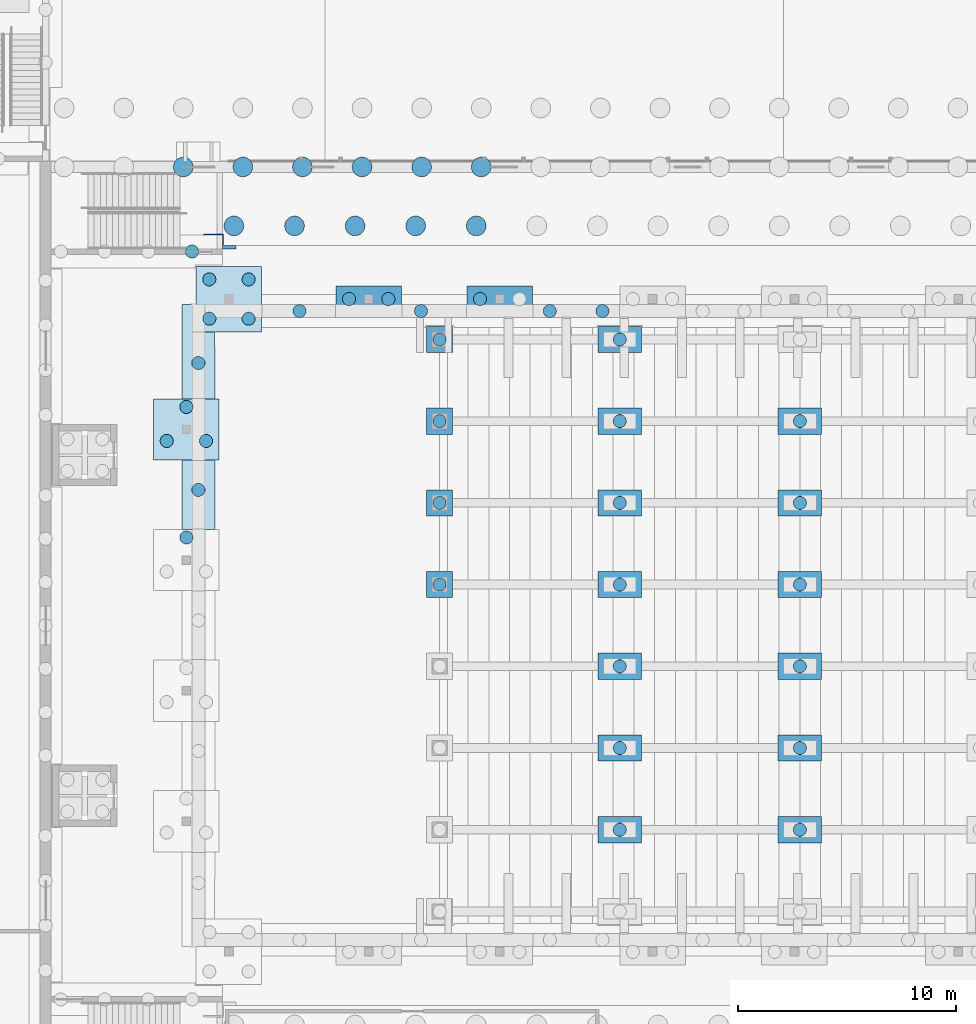
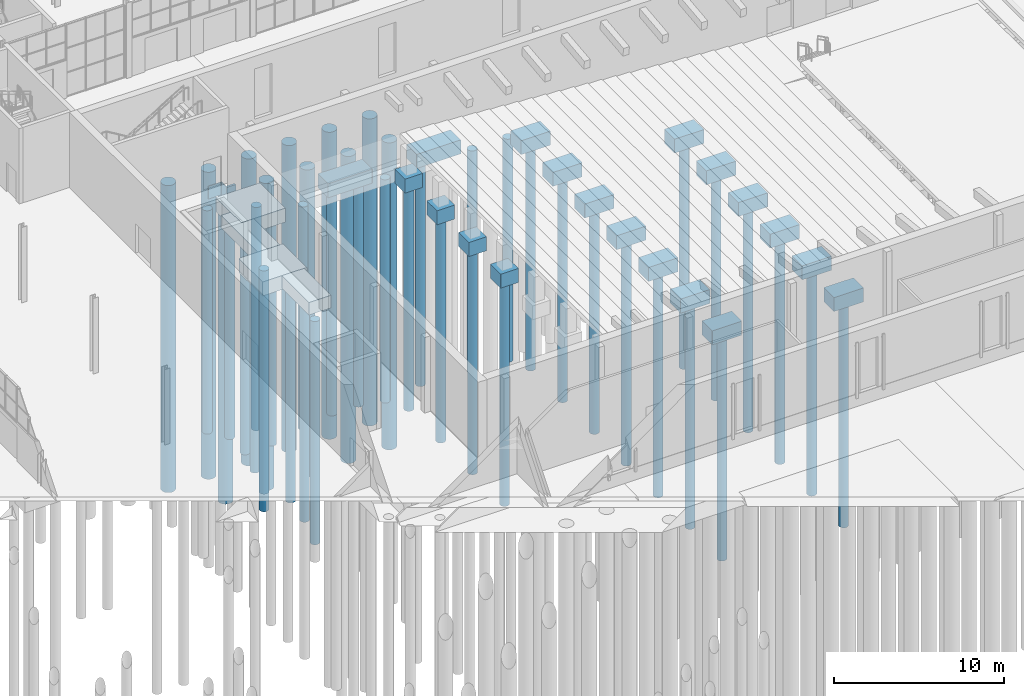
# One storey, part 11 of 127: 46 piles, 24 footings.
"""IFC4 building model written with IfcOpenShell, lengths in metres."""

from ifc_helpers import new_model, si_unit, direction, frame, origin, origin_2d, place, context, subcontext, project, spatial, polyline, circle, outline, extrude, material, layer, layer_set, material_profile, profile_set, type_object, element, save


model = new_model("IFC4")

# Units and contexts
model_context = context("Model", 3, precision=1e-05, world=origin(), true_north=direction((0.0, 1.0)))
body_context = subcontext(model_context, "Body", "Model", "MODEL_VIEW")
ifc_project = project(units=[si_unit("LENGTHUNIT", "METRE"), si_unit("AREAUNIT", "SQUARE_METRE"), si_unit("VOLUMEUNIT", "CUBIC_METRE"), si_unit("PLANEANGLEUNIT", "RADIAN"), si_unit("MASSUNIT", "GRAM", prefix="KILO")], contexts=[model_context])

# Site, building, storey
site_placement = place(None, origin())
site = spatial("IfcSite", under=ifc_project, at=site_placement, CompositionType="ELEMENT")
building_placement = place(site_placement, origin())
building = spatial("IfcBuilding", under=site, at=building_placement, Name="Ljudholm Concert House", CompositionType="ELEMENT")
storey_placement = place(building_placement, origin())
storey = spatial("IfcBuildingStorey", under=building, at=storey_placement, Name="L00", CompositionType="ELEMENT", Elevation=0.0)

# Piles
ifc_material_1 = material(Name="Concrete 5,000 psi", Category="concrete")
ifc_material_profile_1 = material_profile(ifc_material_1, circle(Radius=0.300048828125, at=origin_2d()), Name="AUGER-CAST PILE D600")
ifc_profile_set_1 = profile_set([ifc_material_profile_1], Name="Concrete 5,000 psi")
pile_type_1 = type_object("IfcPileType", Name="AUGER-CAST PILE D600", PredefinedType="BORED", material=ifc_profile_set_1)
for number, where, z_axis, x_axis, name in (
    (1, (35.64990234375, 79.42919921875, -1.300048828125), (0.0, 0.0, -1.0), (1.0, 0.0, 0.0), "Pile D600"),
    (2, (34.75, 83.850341796875, -1.300048828125), (0.0, 0.0, -1.0), (1.0, 0.0, 0.0), "Pile D600"),
    (3, (36.550048828125, 83.850341796875, -1.300048828125), (0.0, 0.0, -1.0), (1.0, 0.0, 0.0), "Pile D600"),
    (4, (35.64990234375, 85.4091796875, -1.300048828125), (0.0, 0.0, -1.0), (1.0, 0.0, 0.0), "Pile D600"),
    (5, (36.699951171875, 89.449951171875, -1.300048828125), (0.0, 0.0, -1.0), (1.0, 0.0, 0.0), "Pile D600"),
    (6, (38.5, 89.449951171875, -1.300048828125), (0.0, 0.0, -1.0), (1.0, 0.0, 0.0), "Pile D600"),
    (7, (36.699951171875, 91.25, -1.300048828125), (0.0, 0.0, -1.0), (1.0, 0.0, 0.0), "Pile D600"),
    (8, (38.5, 91.25, -1.300048828125), (0.0, 0.0, -1.0), (1.0, 0.0, 0.0), "Pile D600"),
    (9, (43.10009765625, 90.35009765625, -1.300048828125), (0.0, 0.0, -1.0), (1.0, 0.0, 0.0), "Pile D600"),
    (10, (44.89990234375, 90.35009765625, -1.300048828125), (0.0, 0.0, -1.0), (1.0, 0.0, 0.0), "Pile D600"),
    (11, (47.25, 77.271484375, -1.300048828125), (0.0, 0.0, -1.0), (1.0, 0.0, 0.0), "Pile D600"),
    (12, (47.25, 81.014404296875, -1.300048828125), (0.0, 0.0, -1.0), (1.0, 0.0, 0.0), "Pile D600"),
    (13, (47.25, 84.757080078125, -1.300048828125), (0.0, 0.0, -1.0), (1.0, 0.0, 0.0), "Pile D600"),
    (14, (47.25, 88.5, -1.300048828125), (0.0, 0.0, -1.0), (1.0, 0.0, 0.0), "Pile D600"),
    (15, (49.10009765625, 90.35009765625, -1.300048828125), (0.0, 0.0, -1.0), (1.0, 0.0, 0.0), "Pile D600"),
    (16, (55.5, 66.04296875, -1.300048828125), (0.0, 0.0, -1.0), (1.0, 0.0, 0.0), "Pile D600"),
    (17, (55.5, 69.78564453125, -1.300048828125), (0.0, 0.0, -1.0), (1.0, 0.0, 0.0), "Pile D600"),
    (18, (55.5, 73.528564453125, -1.300048828125), (0.0, 0.0, -1.0), (1.0, 0.0, 0.0), "Pile D600"),
    (19, (55.5, 77.271484375, -1.300048828125), (0.0, 0.0, -1.0), (1.0, 0.0, 0.0), "Pile D600"),
    (20, (55.5, 81.014404296875, -1.300048828125), (0.0, 0.0, -1.0), (1.0, 0.0, 0.0), "Pile D600"),
    (21, (55.5, 84.757080078125, -1.300048828125), (0.0, 0.0, -1.0), (1.0, 0.0, 0.0), "Pile D600"),
    (22, (55.5, 88.5, -1.300048828125), (0.0, 0.0, -1.0), (1.0, 0.0, 0.0), "Pile D600"),
    (23, (63.75, 66.04296875, -1.804931640625), (0.0, 0.0, -1.0), (1.0, 0.0, 0.0), "Pile D600"),
    (24, (63.75, 69.78564453125, -1.804931640625), (0.0, 0.0, -1.0), (1.0, 0.0, 0.0), "Pile D600"),
    (25, (63.75, 73.528564453125, -1.804931640625), (0.0, 0.0, -1.0), (1.0, 0.0, 0.0), "Pile D600"),
    (26, (63.75, 77.271484375, -1.804931640625), (0.0, 0.0, -1.0), (1.0, 0.0, 0.0), "Pile D600"),
    (27, (63.75, 81.014404296875, -1.804931640625), (0.0, 0.0, -1.0), (1.0, 0.0, 0.0), "Pile D600"),
    (28, (63.75, 84.757080078125, -1.804931640625), (0.0, 0.0, -1.0), (1.0, 0.0, 0.0), "Pile D600"),
    (29, (35.91064453125, 92.52490234375, -1.39990234375), (0.0, 0.0, -1.0), (1.0, 0.0, 0.0), "Pile D600"),
    (30, (40.83154296875, 89.800048828125, -1.199951171875), (0.0, 0.0, -1.0), (1.0, 0.0, 0.0), "Pile D600"),
    (31, (46.398681640625, 89.800048828125, -1.199951171875), (0.0, 0.0, -1.0), (1.0, 0.0, 0.0), "Pile D600"),
    (32, (52.295166015625, 89.800048828125, -1.199951171875), (0.0, 0.0, -1.0), (1.0, 0.0, 0.0), "Pile D600"),
    (33, (54.704833984375, 89.800048828125, -1.199951171875), (0.0, 0.0, -1.0), (1.0, 0.0, 0.0), "Pile D600"),
    (34, (36.199951171875, 87.420166015625, -1.199951171875), (0.0, 0.0, -1.0), (1.0, 0.0, 0.0), "Pile D600"),
    (35, (36.199951171875, 81.608154296875, -1.199951171875), (0.0, 0.0, -1.0), (1.0, 0.0, 0.0), "Pile D600"),
):
    element("IfcPile", number, at=place(storey_placement, frame(where, z_axis=z_axis, x_axis=x_axis)), inside=storey, type_object=pile_type_1, Name=name, PredefinedType="BORED", context=body_context, shape_type="SweptSolid", body=[
        extrude(circle(Radius=0.300048828125, at=origin_2d()), origin(), (0.0, 0.0, 1.0), 16.0),
    ])
ifc_material_2 = material(Name="Concrete 5,000 psi", Category="concrete")
ifc_material_profile_2 = material_profile(ifc_material_2, circle(Radius=0.449951171875, at=origin_2d()), Name="AUGER-CAST PILE D900")
ifc_profile_set_2 = profile_set([ifc_material_profile_2], Name="Concrete 5,000 psi")
pile_type_2 = type_object("IfcPileType", Name="AUGER-CAST PILE D900", PredefinedType="BORED", material=ifc_profile_set_2)
for number, where, z_axis, x_axis, name in (
    (36, (37.828857421875, 93.699951171875, -1.699951171875), (0.0, 0.0, -1.0), (1.0, 0.0, 0.0), "Pile D900"),
    (37, (40.603515625, 93.699951171875, -1.699951171875), (0.0, 0.0, -1.0), (1.0, 0.0, 0.0), "Pile D900"),
    (38, (43.3779296875, 93.699951171875, -1.699951171875), (0.0, 0.0, -1.0), (1.0, 0.0, 0.0), "Pile D900"),
    (39, (46.152587890625, 93.699951171875, -1.699951171875), (0.0, 0.0, -1.0), (1.0, 0.0, 0.0), "Pile D900"),
    (40, (48.92724609375, 93.699951171875, -1.699951171875), (0.0, 0.0, -1.0), (1.0, 0.0, 0.0), "Pile D900"),
    (41, (35.50830078125, 96.39990234375, -1.699951171875), (0.0, 0.0, -1.0), (1.0, 0.0, 0.0), "Pile D900"),
    (42, (38.237548828125, 96.39990234375, -1.699951171875), (0.0, 0.0, -1.0), (1.0, 0.0, 0.0), "Pile D900"),
    (43, (40.966552734375, 96.39990234375, -1.699951171875), (0.0, 0.0, -1.0), (1.0, 0.0, 0.0), "Pile D900"),
    (44, (43.69580078125, 96.39990234375, -1.699951171875), (0.0, 0.0, -1.0), (1.0, 0.0, 0.0), "Pile D900"),
    (45, (46.425048828125, 96.39990234375, -1.699951171875), (0.0, 0.0, -1.0), (1.0, 0.0, 0.0), "Pile D900"),
    (46, (49.154052734375, 96.39990234375, -1.699951171875), (0.0, 0.0, -1.0), (1.0, 0.0, 0.0), "Pile D900"),
):
    element("IfcPile", number, at=place(storey_placement, frame(where, z_axis=z_axis, x_axis=x_axis)), inside=storey, type_object=pile_type_2, Name=name, PredefinedType="BORED", context=body_context, shape_type="SweptSolid", body=[
        extrude(circle(Radius=0.449951171875, at=origin_2d()), origin(), (0.0, 0.0, 1.0), 22.0),
    ])

# Footings
ifc_material_3 = material(Name="Concrete 5,000 psi", Category="concrete")
ifc_layer_1 = layer(ifc_material_3, 1.0)
ifc_layer_set_1 = layer_set([ifc_layer_1], Name="Concrete 5,000 psi")
footing_type_1 = type_object("IfcFootingType", Name="RC PILE CAP 1200x1200x1000", PredefinedType="PILE_CAP", material=ifc_layer_set_1)
footing_1_placement = place(storey_placement, frame((0.0, 0.0, -1.300048828125)))
element("IfcFooting", 47, at=footing_1_placement, inside=storey, type_object=footing_type_1, Name="Pile cap", PredefinedType="PILE_CAP", context=body_context, shape_type="SweptSolid", body=[
    extrude(outline(polyline([(46.659912109375, 76.67138671875), (47.840087890625, 76.67138671875), (47.84375, 76.672119140625), (47.84716796875, 76.67431640625), (47.84912109375, 76.677490234375), (47.85009765625, 76.681396484375), (47.85009765625, 77.861328125), (47.84912109375, 77.865234375), (47.84716796875, 77.868408203125), (47.84375, 77.87060546875), (47.840087890625, 77.871337890625), (46.659912109375, 77.871337890625), (46.65625, 77.87060546875), (46.65283203125, 77.868408203125), (46.65087890625, 77.865234375), (46.64990234375, 77.861328125), (46.64990234375, 76.681396484375), (46.65087890625, 76.677490234375), (46.65283203125, 76.67431640625), (46.65625, 76.672119140625), (46.659912109375, 76.67138671875)])), origin(), (0.0, 0.0, 1.0), 1.0),
])
footing_2_placement = place(storey_placement, frame((0.0, 0.0, -1.300048828125)))
element("IfcFooting", 48, at=footing_2_placement, inside=storey, type_object=footing_type_1, Name="Pile cap", PredefinedType="PILE_CAP", context=body_context, shape_type="SweptSolid", body=[
    extrude(outline(polyline([(46.64990234375, 81.604248046875), (46.64990234375, 80.42431640625), (46.65087890625, 80.42041015625), (46.65283203125, 80.417236328125), (46.65625, 80.4150390625), (46.659912109375, 80.414306640625), (47.840087890625, 80.414306640625), (47.84375, 80.4150390625), (47.84716796875, 80.417236328125), (47.84912109375, 80.42041015625), (47.85009765625, 80.42431640625), (47.85009765625, 81.604248046875), (47.84912109375, 81.608154296875), (47.84716796875, 81.611328125), (47.84375, 81.613525390625), (47.840087890625, 81.6142578125), (46.659912109375, 81.6142578125), (46.65625, 81.613525390625), (46.65283203125, 81.611328125), (46.65087890625, 81.608154296875), (46.64990234375, 81.604248046875)])), origin(), (0.0, 0.0, 1.0), 1.0),
])
footing_3_placement = place(storey_placement, frame((0.0, 0.0, -1.300048828125)))
element("IfcFooting", 49, at=footing_3_placement, inside=storey, type_object=footing_type_1, Name="Pile cap", PredefinedType="PILE_CAP", context=body_context, shape_type="SweptSolid", body=[
    extrude(outline(polyline([(46.659912109375, 84.1572265625), (47.840087890625, 84.1572265625), (47.84375, 84.157958984375), (47.84716796875, 84.16015625), (47.84912109375, 84.163330078125), (47.85009765625, 84.167236328125), (47.85009765625, 85.34716796875), (47.84912109375, 85.35107421875), (47.84716796875, 85.354248046875), (47.84375, 85.3564453125), (47.840087890625, 85.357177734375), (46.659912109375, 85.357177734375), (46.65625, 85.3564453125), (46.65283203125, 85.354248046875), (46.65087890625, 85.35107421875), (46.64990234375, 85.34716796875), (46.64990234375, 84.167236328125), (46.65087890625, 84.163330078125), (46.65283203125, 84.16015625), (46.65625, 84.157958984375), (46.659912109375, 84.1572265625)])), origin(), (0.0, 0.0, 1.0), 1.0),
])
footing_4_placement = place(storey_placement, frame((0.0, 0.0, -1.300048828125)))
element("IfcFooting", 50, at=footing_4_placement, inside=storey, type_object=footing_type_1, Name="Pile cap", PredefinedType="PILE_CAP", context=body_context, shape_type="SweptSolid", body=[
    extrude(outline(polyline([(46.659912109375, 87.89990234375), (47.840087890625, 87.89990234375), (47.84375, 87.90087890625), (47.84716796875, 87.90283203125), (47.84912109375, 87.90625), (47.85009765625, 87.909912109375), (47.85009765625, 89.090087890625), (47.84912109375, 89.09375), (47.84716796875, 89.09716796875), (47.84375, 89.09912109375), (47.840087890625, 89.10009765625), (46.659912109375, 89.10009765625), (46.65625, 89.09912109375), (46.65283203125, 89.09716796875), (46.65087890625, 89.09375), (46.64990234375, 89.090087890625), (46.64990234375, 87.909912109375), (46.65087890625, 87.90625), (46.65283203125, 87.90283203125), (46.65625, 87.90087890625), (46.659912109375, 87.89990234375)])), origin(), (0.0, 0.0, 1.0), 1.0),
])
ifc_material_4 = material(Name="Concrete 5,000 psi", Category="concrete")
ifc_layer_2 = layer(ifc_material_4, 1.0)
ifc_layer_set_2 = layer_set([ifc_layer_2], Name="Concrete 5,000 psi")
footing_type_2 = type_object("IfcFootingType", Name="RC PILE CAP 2000x1200x1000", PredefinedType="PILE_CAP", material=ifc_layer_set_2)
footing_5_placement = place(storey_placement, frame((0.0, 0.0, -1.300048828125)))
element("IfcFooting", 51, at=footing_5_placement, inside=storey, type_object=footing_type_2, Name="Pile cap", PredefinedType="PILE_CAP", context=body_context, shape_type="SweptSolid", body=[
    extrude(outline(polyline([(54.510009765625, 65.44287109375), (56.489990234375, 65.44287109375), (56.49560546875, 65.444580078125), (56.498779296875, 65.4482421875), (56.5, 65.452880859375), (56.5, 66.6328125), (56.498291015625, 66.638427734375), (56.49462890625, 66.6416015625), (56.489990234375, 66.642822265625), (54.510009765625, 66.642822265625), (54.50439453125, 66.64111328125), (54.501220703125, 66.637451171875), (54.5, 66.6328125), (54.5, 65.452880859375), (54.500732421875, 65.448974609375), (54.5029296875, 65.44580078125), (54.506103515625, 65.443603515625), (54.510009765625, 65.44287109375)])), origin(), (0.0, 0.0, 1.0), 1.0),
])
footing_6_placement = place(storey_placement, frame((0.0, 0.0, -1.300048828125)))
element("IfcFooting", 52, at=footing_6_placement, inside=storey, type_object=footing_type_2, Name="Pile cap", PredefinedType="PILE_CAP", context=body_context, shape_type="SweptSolid", body=[
    extrude(outline(polyline([(54.510009765625, 69.185791015625), (56.489990234375, 69.185791015625), (56.49560546875, 69.1875), (56.498779296875, 69.19091796875), (56.5, 69.19580078125), (56.5, 70.375732421875), (56.498291015625, 70.38134765625), (56.49462890625, 70.384521484375), (56.489990234375, 70.3857421875), (54.510009765625, 70.3857421875), (54.50439453125, 70.384033203125), (54.501220703125, 70.38037109375), (54.5, 70.375732421875), (54.5, 69.19580078125), (54.500732421875, 69.19189453125), (54.5029296875, 69.188720703125), (54.506103515625, 69.1865234375), (54.510009765625, 69.185791015625)])), origin(), (0.0, 0.0, 1.0), 1.0),
])
footing_7_placement = place(storey_placement, frame((0.0, 0.0, -1.300048828125)))
element("IfcFooting", 53, at=footing_7_placement, inside=storey, type_object=footing_type_2, Name="Pile cap", PredefinedType="PILE_CAP", context=body_context, shape_type="SweptSolid", body=[
    extrude(outline(polyline([(54.510009765625, 72.928466796875), (56.489990234375, 72.928466796875), (56.49560546875, 72.93017578125), (56.498779296875, 72.933837890625), (56.5, 72.9384765625), (56.5, 74.11865234375), (56.498291015625, 74.1240234375), (56.49462890625, 74.12744140625), (56.489990234375, 74.128662109375), (54.510009765625, 74.128662109375), (54.50439453125, 74.126953125), (54.501220703125, 74.123291015625), (54.5, 74.11865234375), (54.5, 72.9384765625), (54.500732421875, 72.934814453125), (54.5029296875, 72.931396484375), (54.506103515625, 72.929443359375), (54.510009765625, 72.928466796875)])), origin(), (0.0, 0.0, 1.0), 1.0),
])
footing_8_placement = place(storey_placement, frame((0.0, 0.0, -1.300048828125)))
element("IfcFooting", 54, at=footing_8_placement, inside=storey, type_object=footing_type_2, Name="Pile cap", PredefinedType="PILE_CAP", context=body_context, shape_type="SweptSolid", body=[
    extrude(outline(polyline([(54.510009765625, 76.67138671875), (56.489990234375, 76.67138671875), (56.49560546875, 76.673095703125), (56.498779296875, 76.6767578125), (56.5, 76.681396484375), (56.5, 77.861328125), (56.498291015625, 77.866943359375), (56.49462890625, 77.870361328125), (56.489990234375, 77.871337890625), (54.510009765625, 77.871337890625), (54.50439453125, 77.86962890625), (54.501220703125, 77.8662109375), (54.5, 77.861328125), (54.5, 76.681396484375), (54.500732421875, 76.677490234375), (54.5029296875, 76.67431640625), (54.506103515625, 76.672119140625), (54.510009765625, 76.67138671875)])), origin(), (0.0, 0.0, 1.0), 1.0),
])
footing_9_placement = place(storey_placement, frame((0.0, 0.0, -1.300048828125)))
element("IfcFooting", 55, at=footing_9_placement, inside=storey, type_object=footing_type_2, Name="Pile cap", PredefinedType="PILE_CAP", context=body_context, shape_type="SweptSolid", body=[
    extrude(outline(polyline([(54.510009765625, 80.414306640625), (56.489990234375, 80.414306640625), (56.49560546875, 80.416015625), (56.498779296875, 80.419677734375), (56.5, 80.42431640625), (56.5, 81.604248046875), (56.498291015625, 81.60986328125), (56.49462890625, 81.613037109375), (56.489990234375, 81.6142578125), (54.510009765625, 81.6142578125), (54.50439453125, 81.612548828125), (54.501220703125, 81.60888671875), (54.5, 81.604248046875), (54.5, 80.42431640625), (54.500732421875, 80.42041015625), (54.5029296875, 80.417236328125), (54.506103515625, 80.4150390625), (54.510009765625, 80.414306640625)])), origin(), (0.0, 0.0, 1.0), 1.0),
])
footing_10_placement = place(storey_placement, frame((0.0, 0.0, -1.300048828125)))
element("IfcFooting", 56, at=footing_10_placement, inside=storey, type_object=footing_type_2, Name="Pile cap", PredefinedType="PILE_CAP", context=body_context, shape_type="SweptSolid", body=[
    extrude(outline(polyline([(54.510009765625, 84.1572265625), (56.489990234375, 84.1572265625), (56.49560546875, 84.158935546875), (56.498779296875, 84.162353515625), (56.5, 84.167236328125), (56.5, 85.34716796875), (56.498291015625, 85.352783203125), (56.49462890625, 85.35595703125), (56.489990234375, 85.357177734375), (54.510009765625, 85.357177734375), (54.50439453125, 85.35546875), (54.501220703125, 85.351806640625), (54.5, 85.34716796875), (54.5, 84.167236328125), (54.500732421875, 84.163330078125), (54.5029296875, 84.16015625), (54.506103515625, 84.157958984375), (54.510009765625, 84.1572265625)])), origin(), (0.0, 0.0, 1.0), 1.0),
])
footing_11_placement = place(storey_placement, frame((0.0, 0.0, -1.300048828125)))
element("IfcFooting", 57, at=footing_11_placement, inside=storey, type_object=footing_type_2, Name="Pile cap", PredefinedType="PILE_CAP", context=body_context, shape_type="SweptSolid", body=[
    extrude(outline(polyline([(54.510009765625, 87.89990234375), (56.489990234375, 87.89990234375), (56.49560546875, 87.901611328125), (56.498779296875, 87.9052734375), (56.5, 87.909912109375), (56.5, 89.090087890625), (56.498291015625, 89.095458984375), (56.49462890625, 89.098876953125), (56.489990234375, 89.10009765625), (54.510009765625, 89.10009765625), (54.50439453125, 89.098388671875), (54.501220703125, 89.0947265625), (54.5, 89.090087890625), (54.5, 87.909912109375), (54.500732421875, 87.90625), (54.5029296875, 87.90283203125), (54.506103515625, 87.90087890625), (54.510009765625, 87.89990234375)])), origin(), (0.0, 0.0, 1.0), 1.0),
])
footing_12_placement = place(storey_placement, frame((0.0, 0.0, -1.804931640625)))
element("IfcFooting", 58, at=footing_12_placement, inside=storey, type_object=footing_type_2, Name="Pile cap", PredefinedType="PILE_CAP", context=body_context, shape_type="SweptSolid", body=[
    extrude(outline(polyline([(62.760009765625, 65.44287109375), (64.739990234375, 65.44287109375), (64.74560546875, 65.444580078125), (64.748779296875, 65.4482421875), (64.75, 65.452880859375), (64.75, 66.6328125), (64.748291015625, 66.638427734375), (64.74462890625, 66.6416015625), (64.739990234375, 66.642822265625), (62.760009765625, 66.642822265625), (62.75439453125, 66.64111328125), (62.751220703125, 66.637451171875), (62.75, 66.6328125), (62.75, 65.452880859375), (62.750732421875, 65.448974609375), (62.7529296875, 65.44580078125), (62.756103515625, 65.443603515625), (62.760009765625, 65.44287109375)])), origin(), (0.0, 0.0, 1.0), 1.0),
])
footing_13_placement = place(storey_placement, frame((0.0, 0.0, -1.804931640625)))
element("IfcFooting", 59, at=footing_13_placement, inside=storey, type_object=footing_type_2, Name="Pile cap", PredefinedType="PILE_CAP", context=body_context, shape_type="SweptSolid", body=[
    extrude(outline(polyline([(62.760009765625, 69.185791015625), (64.739990234375, 69.185791015625), (64.74560546875, 69.1875), (64.748779296875, 69.19091796875), (64.75, 69.19580078125), (64.75, 70.375732421875), (64.748291015625, 70.38134765625), (64.74462890625, 70.384521484375), (64.739990234375, 70.3857421875), (62.760009765625, 70.3857421875), (62.75439453125, 70.384033203125), (62.751220703125, 70.38037109375), (62.75, 70.375732421875), (62.75, 69.19580078125), (62.750732421875, 69.19189453125), (62.7529296875, 69.188720703125), (62.756103515625, 69.1865234375), (62.760009765625, 69.185791015625)])), origin(), (0.0, 0.0, 1.0), 1.0),
])
footing_14_placement = place(storey_placement, frame((0.0, 0.0, -1.804931640625)))
element("IfcFooting", 60, at=footing_14_placement, inside=storey, type_object=footing_type_2, Name="Pile cap", PredefinedType="PILE_CAP", context=body_context, shape_type="SweptSolid", body=[
    extrude(outline(polyline([(62.760009765625, 72.928466796875), (64.739990234375, 72.928466796875), (64.74560546875, 72.93017578125), (64.748779296875, 72.933837890625), (64.75, 72.9384765625), (64.75, 74.11865234375), (64.748291015625, 74.1240234375), (64.74462890625, 74.12744140625), (64.739990234375, 74.128662109375), (62.760009765625, 74.128662109375), (62.75439453125, 74.126953125), (62.751220703125, 74.123291015625), (62.75, 74.11865234375), (62.75, 72.9384765625), (62.750732421875, 72.934814453125), (62.7529296875, 72.931396484375), (62.756103515625, 72.929443359375), (62.760009765625, 72.928466796875)])), origin(), (0.0, 0.0, 1.0), 1.0),
])
footing_15_placement = place(storey_placement, frame((0.0, 0.0, -1.804931640625)))
element("IfcFooting", 61, at=footing_15_placement, inside=storey, type_object=footing_type_2, Name="Pile cap", PredefinedType="PILE_CAP", context=body_context, shape_type="SweptSolid", body=[
    extrude(outline(polyline([(62.760009765625, 76.67138671875), (64.739990234375, 76.67138671875), (64.74560546875, 76.673095703125), (64.748779296875, 76.6767578125), (64.75, 76.681396484375), (64.75, 77.861328125), (64.748291015625, 77.866943359375), (64.74462890625, 77.870361328125), (64.739990234375, 77.871337890625), (62.760009765625, 77.871337890625), (62.75439453125, 77.86962890625), (62.751220703125, 77.8662109375), (62.75, 77.861328125), (62.75, 76.681396484375), (62.750732421875, 76.677490234375), (62.7529296875, 76.67431640625), (62.756103515625, 76.672119140625), (62.760009765625, 76.67138671875)])), origin(), (0.0, 0.0, 1.0), 1.0),
])
footing_16_placement = place(storey_placement, frame((0.0, 0.0, -1.804931640625)))
element("IfcFooting", 62, at=footing_16_placement, inside=storey, type_object=footing_type_2, Name="Pile cap", PredefinedType="PILE_CAP", context=body_context, shape_type="SweptSolid", body=[
    extrude(outline(polyline([(62.760009765625, 80.414306640625), (64.739990234375, 80.414306640625), (64.74560546875, 80.416015625), (64.748779296875, 80.419677734375), (64.75, 80.42431640625), (64.75, 81.604248046875), (64.748291015625, 81.60986328125), (64.74462890625, 81.613037109375), (64.739990234375, 81.6142578125), (62.760009765625, 81.6142578125), (62.75439453125, 81.612548828125), (62.751220703125, 81.60888671875), (62.75, 81.604248046875), (62.75, 80.42431640625), (62.750732421875, 80.42041015625), (62.7529296875, 80.417236328125), (62.756103515625, 80.4150390625), (62.760009765625, 80.414306640625)])), origin(), (0.0, 0.0, 1.0), 1.0),
])
footing_17_placement = place(storey_placement, frame((0.0, 0.0, -1.804931640625)))
element("IfcFooting", 63, at=footing_17_placement, inside=storey, type_object=footing_type_2, Name="Pile cap", PredefinedType="PILE_CAP", context=body_context, shape_type="SweptSolid", body=[
    extrude(outline(polyline([(62.760009765625, 84.1572265625), (64.739990234375, 84.1572265625), (64.74560546875, 84.158935546875), (64.748779296875, 84.162353515625), (64.75, 84.167236328125), (64.75, 85.34716796875), (64.748291015625, 85.352783203125), (64.74462890625, 85.35595703125), (64.739990234375, 85.357177734375), (62.760009765625, 85.357177734375), (62.75439453125, 85.35546875), (62.751220703125, 85.351806640625), (62.75, 85.34716796875), (62.75, 84.167236328125), (62.750732421875, 84.163330078125), (62.7529296875, 84.16015625), (62.756103515625, 84.157958984375), (62.760009765625, 84.1572265625)])), origin(), (0.0, 0.0, 1.0), 1.0),
])
ifc_material_5 = material(Name="Concrete 5,000 psi", Category="concrete")
ifc_layer_3 = layer(ifc_material_5, 1.0)
ifc_layer_set_3 = layer_set([ifc_layer_3], Name="Concrete 5,000 psi")
footing_type_3 = type_object("IfcFootingType", Name="RC PILE CAP 3000x1200x1000", PredefinedType="PILE_CAP", material=ifc_layer_set_3)
footing_18_placement = place(storey_placement, frame((0.0, 0.0, -1.300048828125)))
element("IfcFooting", 64, at=footing_18_placement, inside=storey, type_object=footing_type_3, Name="Pile cap", PredefinedType="PILE_CAP", context=body_context, shape_type="SweptSolid", body=[
    extrude(outline(polyline([(42.510009765625, 89.75), (45.489990234375, 89.75), (45.493896484375, 89.750732421875), (45.498291015625, 89.75439453125), (45.5, 89.760009765625), (45.5, 90.93994140625), (45.499267578125, 90.94384765625), (45.49560546875, 90.9482421875), (45.489990234375, 90.949951171875), (42.510009765625, 90.949951171875), (42.506103515625, 90.94921875), (42.501708984375, 90.945556640625), (42.5, 90.93994140625), (42.5, 89.760009765625), (42.500732421875, 89.756103515625), (42.5029296875, 89.7529296875), (42.506103515625, 89.750732421875), (42.510009765625, 89.75)])), origin(), (0.0, 0.0, 1.0), 1.0),
])
footing_19_placement = place(storey_placement, frame((0.0, 0.0, -1.300048828125)))
element("IfcFooting", 65, at=footing_19_placement, inside=storey, type_object=footing_type_3, Name="Pile cap", PredefinedType="PILE_CAP", context=body_context, shape_type="SweptSolid", body=[
    extrude(outline(polyline([(48.510009765625, 89.75), (51.489990234375, 89.75), (51.493896484375, 89.750732421875), (51.498291015625, 89.75439453125), (51.5, 89.760009765625), (51.5, 90.93994140625), (51.499267578125, 90.94384765625), (51.49560546875, 90.9482421875), (51.489990234375, 90.949951171875), (48.510009765625, 90.949951171875), (48.506103515625, 90.94921875), (48.501708984375, 90.945556640625), (48.5, 90.93994140625), (48.5, 89.760009765625), (48.500732421875, 89.756103515625), (48.5029296875, 89.7529296875), (48.506103515625, 89.750732421875), (48.510009765625, 89.75)])), origin(), (0.0, 0.0, 1.0), 1.0),
])
ifc_material_6 = material(Name="Concrete 5,000 psi", Category="concrete")
ifc_layer_4 = layer(ifc_material_6, 1.0)
ifc_layer_set_4 = layer_set([ifc_layer_4], Name="Concrete 5,000 psi")
footing_type_4 = type_object("IfcFootingType", Name="RC PILE CAP 3000x2800x1000", PredefinedType="PILE_CAP", material=ifc_layer_set_4)
footing_20_placement = place(storey_placement, frame((0.0, 0.0, -1.300048828125)))
element("IfcFooting", 66, at=footing_20_placement, inside=storey, type_object=footing_type_4, Name="Pile cap", PredefinedType="PILE_CAP", context=body_context, shape_type="SweptSolid", body=[
    extrude(outline(polyline([(34.159912109375, 82.969970703125), (37.139892578125, 82.969970703125), (37.143798828125, 82.970703125), (37.14697265625, 82.972900390625), (37.149169921875, 82.97607421875), (37.14990234375, 82.97998046875), (37.14990234375, 85.760009765625), (37.149169921875, 85.763916015625), (37.14697265625, 85.76708984375), (37.143798828125, 85.769287109375), (37.139892578125, 85.77001953125), (34.159912109375, 85.77001953125), (34.15625, 85.769287109375), (34.15283203125, 85.76708984375), (34.15087890625, 85.763916015625), (34.14990234375, 85.760009765625), (34.14990234375, 82.97998046875), (34.15087890625, 82.97607421875), (34.15283203125, 82.972900390625), (34.15625, 82.970703125), (34.159912109375, 82.969970703125)])), origin(), (0.0, 0.0, 1.0), 1.0),
])
ifc_material_7 = material(Name="Concrete 5,000 psi", Category="concrete")
ifc_layer_5 = layer(ifc_material_7, 1.0)
ifc_layer_set_5 = layer_set([ifc_layer_5], Name="Concrete 5,000 psi")
footing_type_5 = type_object("IfcFootingType", Name="RC PILE CAP 3000x3000x1000", PredefinedType="PILE_CAP", material=ifc_layer_set_5)
footing_21_placement = place(storey_placement, frame((0.0, 0.0, -1.300048828125)))
element("IfcFooting", 67, at=footing_21_placement, inside=storey, type_object=footing_type_5, Name="Pile cap", PredefinedType="PILE_CAP", context=body_context, shape_type="SweptSolid", body=[
    extrude(outline(polyline([(36.110107421875, 88.85009765625), (39.090087890625, 88.85009765625), (39.09375, 88.850830078125), (39.09716796875, 88.85302734375), (39.09912109375, 88.856201171875), (39.10009765625, 88.860107421875), (39.10009765625, 91.840087890625), (39.09912109375, 91.84375), (39.09716796875, 91.84716796875), (39.09375, 91.84912109375), (39.090087890625, 91.85009765625), (36.110107421875, 91.85009765625), (36.106201171875, 91.84912109375), (36.10302734375, 91.84716796875), (36.100830078125, 91.84375), (36.10009765625, 91.840087890625), (36.10009765625, 88.860107421875), (36.100830078125, 88.856201171875), (36.10302734375, 88.85302734375), (36.106201171875, 88.850830078125), (36.110107421875, 88.85009765625)])), origin(), (0.0, 0.0, 1.0), 1.0),
])
ifc_material_8 = material(Name="Concrete 5,000 psi", Category="concrete")
ifc_layer_6 = layer(ifc_material_8, 0.89990234375)
ifc_layer_set_6 = layer_set([ifc_layer_6], Name="Concrete 5,000 psi")
footing_type_6 = type_object("IfcFootingType", Name="RC STRIP FOOTING 1500x900", PredefinedType="STRIP_FOOTING", material=ifc_layer_set_6)
footing_22_placement = place(storey_placement, frame((0.0, 0.0, -1.199951171875)))
element("IfcFooting", 68, at=footing_22_placement, inside=storey, type_object=footing_type_6, Name="Strip footing", PredefinedType="STRIP_FOOTING", context=body_context, shape_type="SweptSolid", body=[
    extrude(outline(polyline([(35.4599609375, 85.77001953125), (36.93994140625, 85.77001953125), (36.94384765625, 85.770751953125), (36.947021484375, 85.77294921875), (36.94873046875, 85.775390625), (36.949951171875, 85.779052734375), (36.94970703125, 88.842041015625), (36.9482421875, 88.845458984375), (36.9462890625, 88.84765625), (36.94384765625, 88.84912109375), (36.93994140625, 88.85009765625), (36.1103515625, 88.85009765625), (36.105224609375, 88.85107421875), (36.101806640625, 88.8544921875), (36.10009765625, 88.8603515625), (36.10009765625, 90.090087890625), (36.09912109375, 90.09375), (36.09716796875, 90.09716796875), (36.09375, 90.09912109375), (36.091064453125, 90.099853515625), (35.4599609375, 90.10009765625), (35.4560546875, 90.09912109375), (35.452880859375, 90.09716796875), (35.451171875, 90.0947265625), (35.449951171875, 90.091064453125), (35.449951171875, 85.780029296875), (35.45068359375, 85.776123046875), (35.452880859375, 85.77294921875), (35.4560546875, 85.770751953125), (35.4599609375, 85.77001953125)])), origin(), (0.0, 0.0, 1.0), 0.89990234375),
])
footing_23_placement = place(storey_placement, frame((0.0, 0.0, -1.199951171875)))
element("IfcFooting", 69, at=footing_23_placement, inside=storey, type_object=footing_type_6, Name="Strip footing", PredefinedType="STRIP_FOOTING", context=body_context, shape_type="SweptSolid", body=[
    extrude(outline(polyline([(35.449951171875, 82.9599609375), (35.449951171875, 79.800048828125), (35.45068359375, 79.796142578125), (35.454345703125, 79.791748046875), (35.4599609375, 79.7900390625), (36.93994140625, 79.7900390625), (36.94384765625, 79.790771484375), (36.9482421875, 79.79443359375), (36.949951171875, 79.800048828125), (36.949951171875, 82.9599609375), (36.94921875, 82.9638671875), (36.945556640625, 82.96826171875), (36.93994140625, 82.969970703125), (35.4599609375, 82.969970703125), (35.4560546875, 82.96923828125), (35.452880859375, 82.967041015625), (35.45068359375, 82.9638671875), (35.449951171875, 82.9599609375)])), origin(), (0.0, 0.0, 1.0), 0.89990234375),
])
ifc_material_9 = material(Name="Concrete 5,000 psi", Category="concrete")
ifc_layer_7 = layer(ifc_material_9, 0.89990234375)
ifc_layer_set_7 = layer_set([ifc_layer_7], Name="Concrete 5,000 psi")
footing_type_7 = type_object("IfcFootingType", Name="RC STRIP FOOTING 600x900", PredefinedType="STRIP_FOOTING", material=ifc_layer_set_7)
footing_24_placement = place(storey_placement, frame((0.0, 0.0, -1.39990234375)))
element("IfcFooting", 70, at=footing_24_placement, inside=storey, type_object=footing_type_7, Name="Strip footing", PredefinedType="STRIP_FOOTING", context=body_context, shape_type="SweptSolid", body=[
    extrude(outline(polyline([(36.425048828125, 93.31494140625), (36.42529296875, 93.282958984375), (36.4267578125, 93.279541015625), (36.4287109375, 93.27734375), (36.43115234375, 93.27587890625), (36.43505859375, 93.27490234375), (37.289794921875, 93.27490234375), (37.293701171875, 93.274169921875), (37.29833984375, 93.2705078125), (37.300048828125, 93.2646484375), (37.300048828125, 92.659912109375), (37.30078125, 92.65625), (37.302978515625, 92.65283203125), (37.30615234375, 92.65087890625), (37.31005859375, 92.64990234375), (37.9150390625, 92.64990234375), (37.920654296875, 92.651611328125), (37.92431640625, 92.65625), (37.925048828125, 92.659912109375), (37.925048828125, 92.7900390625), (37.92333984375, 92.795654296875), (37.920654296875, 92.79833984375), (37.91796875, 92.799560546875), (37.3603515625, 92.800048828125), (37.356201171875, 92.80078125), (37.352294921875, 92.8037109375), (37.350341796875, 92.80712890625), (37.35009765625, 92.810302734375), (37.35009765625, 93.31494140625), (37.348388671875, 93.320556640625), (37.34375, 93.32421875), (37.340087890625, 93.324951171875), (36.43505859375, 93.324951171875), (36.43115234375, 93.32421875), (36.427978515625, 93.322021484375), (36.42578125, 93.31884765625), (36.425048828125, 93.31494140625)])), origin(), (0.0, 0.0, 1.0), 0.89990234375),
])

save(model, "model.ifc")
